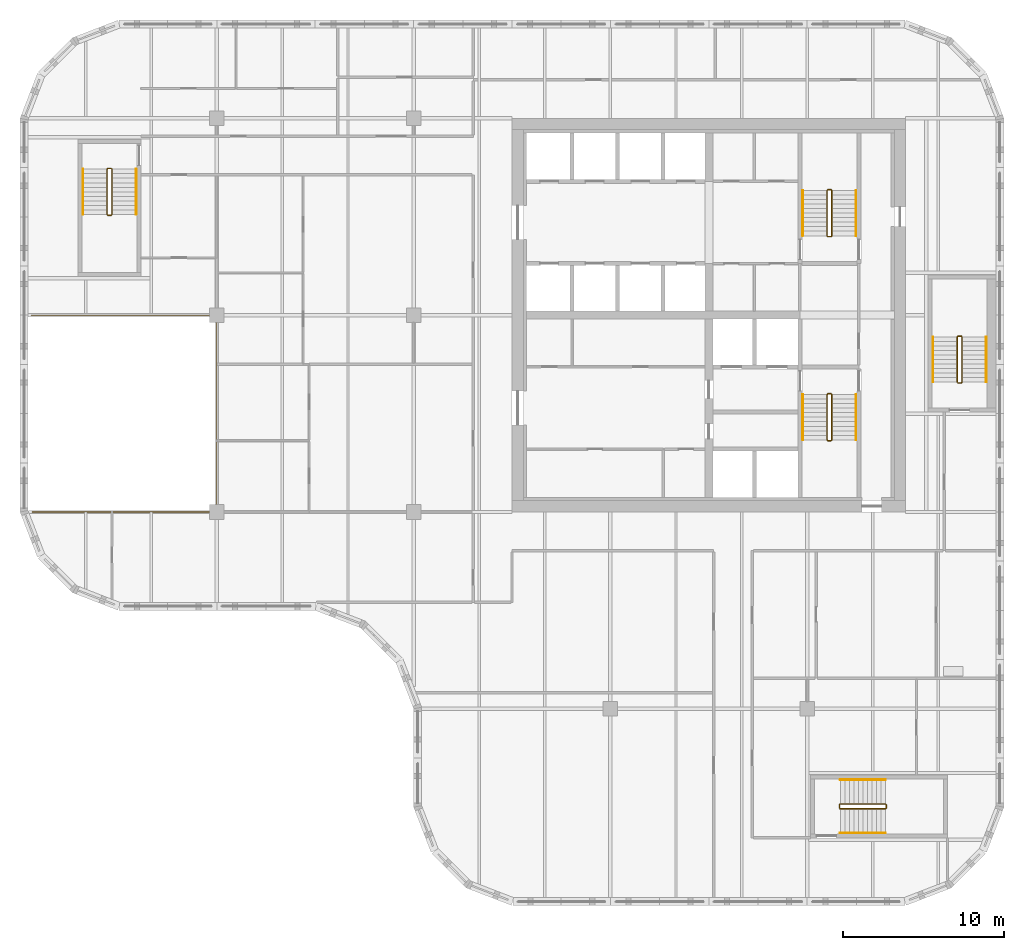
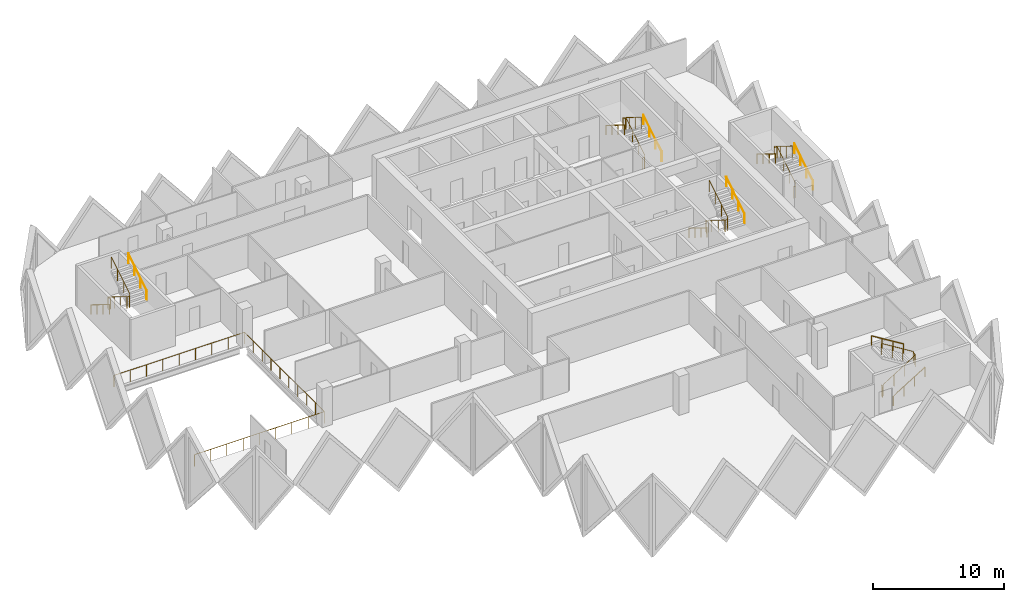
# One storey, part 12 of 13: 16 railings.
"""IFC4 building model written with IfcOpenShell, lengths in metres."""

from ifc_helpers import new_model, si_unit, direction, frame, origin, origin_2d, place, context, subcontext, project, spatial, circle, extrude, material, type_object, element, save


model = new_model("IFC4")

# Units and contexts
model_context = context("Model", 3, precision=1e-05, world=origin(), true_north=direction((0.0, 1.0)))
body_context = subcontext(model_context, "Body", "Model", "MODEL_VIEW")
ifc_project = project(units=[si_unit("LENGTHUNIT", "METRE"), si_unit("AREAUNIT", "SQUARE_METRE"), si_unit("VOLUMEUNIT", "CUBIC_METRE"), si_unit("PLANEANGLEUNIT", "RADIAN"), si_unit("MASSUNIT", "GRAM", prefix="KILO")], contexts=[model_context])

# Site, building, storey
site_placement = place(None, origin())
site = spatial("IfcSite", under=ifc_project, at=site_placement, CompositionType="ELEMENT")
building_placement = place(site_placement, origin())
building = spatial("IfcBuilding", under=site, at=building_placement, Name="Tessera Gate Towers", CompositionType="ELEMENT")
storey_placement = place(building_placement, frame((0.0, 0.0, 131.60009765625)))
storey = spatial("IfcBuildingStorey", under=building, at=storey_placement, Name="L32", CompositionType="ELEMENT", Elevation=131.60009765625)

# Railings
ifc_material_1 = material(Name="Toughened glass with stainless steel handrail", Category="steel")
railing_type_1 = type_object("IfcRailingType", Name="GUARD 1100 GLASS BALUSTRADE", PredefinedType="GUARDRAIL", material=ifc_material_1)
railing_1_placement = place(storey_placement, frame((0.750244140625, 24.39990234375, 0.0)))
element("IfcRailing", 1, at=railing_1_placement, inside=storey, type_object=railing_type_1, Name="Guard", PredefinedType="GUARDRAIL", context=body_context, shape_type="SweptSolid", body=[
    extrude(circle(Radius=0.02490234375, at=origin_2d()), frame((0.0, 0.0, 1.0751953125), z_axis=(1.0, 0.0, 0.0), x_axis=(0.0, 1.0, 0.0)), (0.0, 0.0, 1.0), 11.44970703125),
    extrude(circle(Radius=0.02490234375, at=origin_2d()), frame((11.44970703125, 0.0, 1.0751953125), z_axis=(0.0, 1.0, 0.0), x_axis=(-1.0, 0.0, 0.0)), (0.0, 0.0, 1.0), 12.2001953125),
    extrude(circle(Radius=0.02490234375, at=origin_2d()), frame((11.44970703125, 12.2001953125, 1.0751953125), z_axis=(-1.0, 0.0, 0.0), x_axis=(0.0, -1.0, 0.0)), (0.0, 0.0, 1.0), 11.5),
    extrude(circle(Radius=0.02490234375, at=origin_2d()), origin(), (0.0, 0.0, 1.0), 1.050048828125),
    extrude(circle(Radius=0.02490234375, at=origin_2d()), frame((1.43115234375, 0.0, 0.0)), (0.0, 0.0, 1.0), 1.050048828125),
    extrude(circle(Radius=0.02490234375, at=origin_2d()), frame((2.8623046875, 0.0, 0.0)), (0.0, 0.0, 1.0), 1.050048828125),
    extrude(circle(Radius=0.02490234375, at=origin_2d()), frame((4.293701171875, 0.0, 0.0)), (0.0, 0.0, 1.0), 1.050048828125),
    extrude(circle(Radius=0.02490234375, at=origin_2d()), frame((5.724853515625, 0.0, 0.0)), (0.0, 0.0, 1.0), 1.050048828125),
    extrude(circle(Radius=0.02490234375, at=origin_2d()), frame((7.156005859375, 0.0, 0.0)), (0.0, 0.0, 1.0), 1.050048828125),
    extrude(circle(Radius=0.02490234375, at=origin_2d()), frame((8.58740234375, 0.0, 0.0)), (0.0, 0.0, 1.0), 1.050048828125),
    extrude(circle(Radius=0.02490234375, at=origin_2d()), frame((10.0185546875, 0.0, 0.0)), (0.0, 0.0, 1.0), 1.050048828125),
    extrude(circle(Radius=0.02490234375, at=origin_2d()), frame((11.44970703125, 0.0, 0.0)), (0.0, 0.0, 1.0), 1.050048828125),
    extrude(circle(Radius=0.02490234375, at=origin_2d()), frame((11.44970703125, 1.35546875, 0.0)), (0.0, 0.0, 1.0), 1.050048828125),
    extrude(circle(Radius=0.02490234375, at=origin_2d()), frame((11.44970703125, 2.711181640625, 0.0)), (0.0, 0.0, 1.0), 1.050048828125),
    extrude(circle(Radius=0.02490234375, at=origin_2d()), frame((11.44970703125, 4.066650390625, 0.0)), (0.0, 0.0, 1.0), 1.050048828125),
    extrude(circle(Radius=0.02490234375, at=origin_2d()), frame((11.44970703125, 5.42236328125, 0.0)), (0.0, 0.0, 1.0), 1.050048828125),
    extrude(circle(Radius=0.02490234375, at=origin_2d()), frame((11.44970703125, 6.77783203125, 0.0)), (0.0, 0.0, 1.0), 1.050048828125),
    extrude(circle(Radius=0.02490234375, at=origin_2d()), frame((11.44970703125, 8.133544921875, 0.0)), (0.0, 0.0, 1.0), 1.050048828125),
    extrude(circle(Radius=0.02490234375, at=origin_2d()), frame((11.44970703125, 9.489013671875, 0.0)), (0.0, 0.0, 1.0), 1.050048828125),
    extrude(circle(Radius=0.02490234375, at=origin_2d()), frame((11.44970703125, 10.8447265625, 0.0)), (0.0, 0.0, 1.0), 1.050048828125),
    extrude(circle(Radius=0.02490234375, at=origin_2d()), frame((11.44970703125, 12.2001953125, 0.0)), (0.0, 0.0, 1.0), 1.050048828125),
    extrude(circle(Radius=0.02490234375, at=origin_2d()), frame((10.01220703125, 12.2001953125, 0.0)), (0.0, 0.0, 1.0), 1.050048828125),
    extrude(circle(Radius=0.02490234375, at=origin_2d()), frame((8.57470703125, 12.2001953125, 0.0)), (0.0, 0.0, 1.0), 1.050048828125),
    extrude(circle(Radius=0.02490234375, at=origin_2d()), frame((7.13720703125, 12.2001953125, 0.0)), (0.0, 0.0, 1.0), 1.050048828125),
    extrude(circle(Radius=0.02490234375, at=origin_2d()), frame((5.69970703125, 12.2001953125, 0.0)), (0.0, 0.0, 1.0), 1.050048828125),
    extrude(circle(Radius=0.02490234375, at=origin_2d()), frame((4.26220703125, 12.2001953125, 0.0)), (0.0, 0.0, 1.0), 1.050048828125),
    extrude(circle(Radius=0.02490234375, at=origin_2d()), frame((2.82470703125, 12.2001953125, 0.0)), (0.0, 0.0, 1.0), 1.050048828125),
    extrude(circle(Radius=0.02490234375, at=origin_2d()), frame((1.38720703125, 12.2001953125, 0.0)), (0.0, 0.0, 1.0), 1.050048828125),
    extrude(circle(Radius=0.02490234375, at=origin_2d()), frame((-0.05029296875, 12.2001953125, 0.0)), (0.0, 0.0, 1.0), 1.050048828125),
])
ifc_material_2 = material(Name="Steel 350W", Category="steel")
railing_type_2 = type_object("IfcRailingType", Name="STAIR GUARD 1100", PredefinedType="GUARDRAIL", material=ifc_material_2)
railing_2_placement = place(storey_placement, frame((50.27490234375, 31.72509765625, 0.0)))
element("IfcRailing", 2, at=railing_2_placement, inside=storey, type_object=railing_type_2, Name="L32 ST1 stair guard 1", PredefinedType="GUARDRAIL", context=body_context, shape_type="SweptSolid", body=[
    extrude(circle(Radius=0.02392578125, at=origin_2d()), frame((0.0, 0.0, 1.076171875), z_axis=(-1.0, 0.0, 0.0), x_axis=(0.0, -1.0, 0.0)), (0.0, 0.0, 1.0), 0.199951171875),
    extrude(circle(Radius=0.02392578125, at=origin_2d()), frame((-0.199951171875, 0.0, 1.076171875), z_axis=(-0.268277960024, -0.268277960024, 0.925231793839), x_axis=(0.707106781187, -0.707106781187, 0.0)), (0.0, 0.0, 1.0), 0.1865234375),
    extrude(circle(Radius=0.02392578125, at=origin_2d()), frame((-0.25, -0.050048828125, 1.24853515625), z_axis=(0.0, -0.851089632645, 0.525020415988), x_axis=(1.0, 0.0, 0.0)), (0.0, 0.0, 1.0), 3.2900390625),
    extrude(circle(Radius=0.02392578125, at=origin_2d()), frame((-0.25, -2.85009765625, 2.97607421875), z_axis=(0.707106781187, -0.707106781187, 0.0), x_axis=(0.707106781187, 0.707106781187, 0.0)), (0.0, 0.0, 1.0), 0.07080078125),
    extrude(circle(Radius=0.02392578125, at=origin_2d()), frame((-0.199951171875, -2.900146484375, 2.97607421875), z_axis=(1.0, 0.0, 0.0), x_axis=(0.0, 1.0, 0.0)), (0.0, 0.0, 1.0), 0.199951171875),
    extrude(circle(Radius=0.02392578125, at=origin_2d()), frame((0.0, -2.900146484375, 2.97607421875), z_axis=(0.268277960024, 0.268277960024, 0.925231793839), x_axis=(-0.707106781187, 0.707106781187, 0.0)), (0.0, 0.0, 1.0), 0.1865234375),
    extrude(circle(Radius=0.02392578125, at=origin_2d()), frame((0.050048828125, -2.85009765625, 3.1484375), z_axis=(0.0, 0.851089632645, 0.525020415988), x_axis=(-1.0, 0.0, 0.0)), (0.0, 0.0, 1.0), 3.2900390625),
    extrude(circle(Radius=0.02099609375, at=origin_2d()), origin(), (0.0, 0.0, 1.0), 1.052001953125),
    extrude(circle(Radius=0.02099609375, at=origin_2d()), frame((-0.199951171875, 0.0, 0.0)), (0.0, 0.0, 1.0), 1.052001953125),
    extrude(circle(Radius=0.02099609375, at=origin_2d()), frame((-0.25, -0.050048828125, 0.172607421875)), (0.0, 0.0, 1.0), 1.052001953125),
    extrude(circle(Radius=0.02099609375, at=origin_2d()), frame((-0.25, -0.9833984375, 0.748291015625)), (0.0, 0.0, 1.0), 1.052001953125),
    extrude(circle(Radius=0.02099609375, at=origin_2d()), frame((-0.25, -1.916748046875, 1.32421875)), (0.0, 0.0, 1.0), 1.052001953125),
    extrude(circle(Radius=0.02099609375, at=origin_2d()), frame((-0.25, -2.85009765625, 1.89990234375)), (0.0, 0.0, 1.0), 1.052001953125),
    extrude(circle(Radius=0.02099609375, at=origin_2d()), frame((-0.199951171875, -2.900146484375, 1.89990234375)), (0.0, 0.0, 1.0), 1.052001953125),
    extrude(circle(Radius=0.02099609375, at=origin_2d()), frame((0.0, -2.900146484375, 1.89990234375)), (0.0, 0.0, 1.0), 1.052001953125),
    extrude(circle(Radius=0.02099609375, at=origin_2d()), frame((0.050048828125, -2.85009765625, 2.072509765625)), (0.0, 0.0, 1.0), 1.052001953125),
    extrude(circle(Radius=0.02099609375, at=origin_2d()), frame((0.050048828125, -1.916748046875, 2.648193359375)), (0.0, 0.0, 1.0), 1.052001953125),
    extrude(circle(Radius=0.02099609375, at=origin_2d()), frame((0.050048828125, -0.9833984375, 3.22412109375)), (0.0, 0.0, 1.0), 1.052001953125),
    extrude(circle(Radius=0.02099609375, at=origin_2d()), frame((0.050048828125, -0.050048828125, 3.7998046875)), (0.0, 0.0, 1.0), 1.052001953125),
])
railing_3_placement = place(storey_placement, frame((50.074951171875, 41.47509765625, 0.0)))
element("IfcRailing", 3, at=railing_3_placement, inside=storey, type_object=railing_type_2, Name="L32 ST2 stair guard 1", PredefinedType="GUARDRAIL", context=body_context, shape_type="SweptSolid", body=[
    extrude(circle(Radius=0.02392578125, at=origin_2d()), frame((0.0, 0.0, 1.076171875), z_axis=(1.0, 0.0, 0.0), x_axis=(0.0, 1.0, 0.0)), (0.0, 0.0, 1.0), 0.199951171875),
    extrude(circle(Radius=0.02392578125, at=origin_2d()), frame((0.199951171875, 0.0, 1.076171875), z_axis=(0.268371968888, 0.267062837333, 0.925556009775), x_axis=(-0.705375805398, 0.708833529934, 0.0)), (0.0, 0.0, 1.0), 0.1865234375),
    extrude(circle(Radius=0.02392578125, at=origin_2d()), frame((0.25, 0.0498046875, 1.24853515625), z_axis=(0.0, 0.851089632645, 0.525020415988), x_axis=(-1.0, 0.0, 0.0)), (0.0, 0.0, 1.0), 3.2900390625),
    extrude(circle(Radius=0.02392578125, at=origin_2d()), frame((0.25, 2.849853515625, 2.97607421875), z_axis=(-0.707106781187, 0.707106781187, 0.0), x_axis=(-0.707106781187, -0.707106781187, 0.0)), (0.0, 0.0, 1.0), 0.07080078125),
    extrude(circle(Radius=0.02392578125, at=origin_2d()), frame((0.199951171875, 2.89990234375, 2.97607421875), z_axis=(-1.0, 0.0, 0.0), x_axis=(0.0, -1.0, 0.0)), (0.0, 0.0, 1.0), 0.199951171875),
    extrude(circle(Radius=0.02392578125, at=origin_2d()), frame((0.0, 2.89990234375, 2.97607421875), z_axis=(-0.268277960024, -0.268277960024, 0.925231793839), x_axis=(0.707106781187, -0.707106781187, 0.0)), (0.0, 0.0, 1.0), 0.1865234375),
    extrude(circle(Radius=0.02392578125, at=origin_2d()), frame((-0.050048828125, 2.849853515625, 3.1484375), z_axis=(0.0, -0.851089632645, 0.525020415988), x_axis=(1.0, 0.0, 0.0)), (0.0, 0.0, 1.0), 3.2900390625),
    extrude(circle(Radius=0.02099609375, at=origin_2d()), origin(), (0.0, 0.0, 1.0), 1.052001953125),
    extrude(circle(Radius=0.02099609375, at=origin_2d()), frame((0.199951171875, 0.0, 0.0)), (0.0, 0.0, 1.0), 1.052001953125),
    extrude(circle(Radius=0.02099609375, at=origin_2d()), frame((0.25, 0.0498046875, 0.172607421875)), (0.0, 0.0, 1.0), 1.052001953125),
    extrude(circle(Radius=0.02099609375, at=origin_2d()), frame((0.25, 0.983154296875, 0.748291015625)), (0.0, 0.0, 1.0), 1.052001953125),
    extrude(circle(Radius=0.02099609375, at=origin_2d()), frame((0.25, 1.91650390625, 1.32421875)), (0.0, 0.0, 1.0), 1.052001953125),
    extrude(circle(Radius=0.02099609375, at=origin_2d()), frame((0.25, 2.849853515625, 1.89990234375)), (0.0, 0.0, 1.0), 1.052001953125),
    extrude(circle(Radius=0.02099609375, at=origin_2d()), frame((0.199951171875, 2.89990234375, 1.89990234375)), (0.0, 0.0, 1.0), 1.052001953125),
    extrude(circle(Radius=0.02099609375, at=origin_2d()), frame((0.0, 2.89990234375, 1.89990234375)), (0.0, 0.0, 1.0), 1.052001953125),
    extrude(circle(Radius=0.02099609375, at=origin_2d()), frame((-0.050048828125, 2.849853515625, 2.072509765625)), (0.0, 0.0, 1.0), 1.052001953125),
    extrude(circle(Radius=0.02099609375, at=origin_2d()), frame((-0.050048828125, 1.91650390625, 2.648193359375)), (0.0, 0.0, 1.0), 1.052001953125),
    extrude(circle(Radius=0.02099609375, at=origin_2d()), frame((-0.050048828125, 0.983154296875, 3.22412109375)), (0.0, 0.0, 1.0), 1.052001953125),
    extrude(circle(Radius=0.02099609375, at=origin_2d()), frame((-0.050048828125, 0.0498046875, 3.7998046875)), (0.0, 0.0, 1.0), 1.052001953125),
])
railing_4_placement = place(storey_placement, frame((5.64990234375, 45.699951171875, 0.0)))
element("IfcRailing", 4, at=railing_4_placement, inside=storey, type_object=railing_type_2, Name="L32 ST3 stair guard 1", PredefinedType="GUARDRAIL", context=body_context, shape_type="SweptSolid", body=[
    extrude(circle(Radius=0.02392578125, at=origin_2d()), frame((0.0, 0.0, 1.076171875), z_axis=(-1.0, 0.0, 0.0), x_axis=(0.0, -1.0, 0.0)), (0.0, 0.0, 1.0), 0.199951171875),
    extrude(circle(Radius=0.02392578125, at=origin_2d()), frame((-0.199951171875, 0.0, 1.076171875), z_axis=(-0.268277960024, -0.268277960024, 0.925231793839), x_axis=(0.707106781187, -0.707106781187, 0.0)), (0.0, 0.0, 1.0), 0.1865234375),
    extrude(circle(Radius=0.02392578125, at=origin_2d()), frame((-0.25, -0.050048828125, 1.24853515625), z_axis=(0.0, -0.851069175582, 0.525053576669), x_axis=(1.0, 0.0, 0.0)), (0.0, 0.0, 1.0), 3.289794921875),
    extrude(circle(Radius=0.02392578125, at=origin_2d()), frame((-0.25, -2.849853515625, 2.97607421875), z_axis=(0.707106781187, -0.707106781187, 0.0), x_axis=(0.707106781187, 0.707106781187, 0.0)), (0.0, 0.0, 1.0), 0.07080078125),
    extrude(circle(Radius=0.02392578125, at=origin_2d()), frame((-0.199951171875, -2.89990234375, 2.97607421875), z_axis=(1.0, 0.0, 0.0), x_axis=(0.0, 1.0, 0.0)), (0.0, 0.0, 1.0), 0.199951171875),
    extrude(circle(Radius=0.02392578125, at=origin_2d()), frame((0.0, -2.89990234375, 2.97607421875), z_axis=(0.268277960024, 0.268277960024, 0.925231793839), x_axis=(-0.707106781187, 0.707106781187, 0.0)), (0.0, 0.0, 1.0), 0.1865234375),
    extrude(circle(Radius=0.02392578125, at=origin_2d()), frame((0.050048828125, -2.849853515625, 3.1484375), z_axis=(0.0, 0.851069175582, 0.525053576669), x_axis=(-1.0, 0.0, 0.0)), (0.0, 0.0, 1.0), 3.289794921875),
    extrude(circle(Radius=0.02099609375, at=origin_2d()), origin(), (0.0, 0.0, 1.0), 1.052001953125),
    extrude(circle(Radius=0.02099609375, at=origin_2d()), frame((-0.199951171875, 0.0, 0.0)), (0.0, 0.0, 1.0), 1.052001953125),
    extrude(circle(Radius=0.02099609375, at=origin_2d()), frame((-0.25, -0.050048828125, 0.172607421875)), (0.0, 0.0, 1.0), 1.052001953125),
    extrude(circle(Radius=0.02099609375, at=origin_2d()), frame((-0.25, -0.9833984375, 0.748291015625)), (0.0, 0.0, 1.0), 1.052001953125),
    extrude(circle(Radius=0.02099609375, at=origin_2d()), frame((-0.25, -1.91650390625, 1.32421875)), (0.0, 0.0, 1.0), 1.052001953125),
    extrude(circle(Radius=0.02099609375, at=origin_2d()), frame((-0.25, -2.849853515625, 1.89990234375)), (0.0, 0.0, 1.0), 1.052001953125),
    extrude(circle(Radius=0.02099609375, at=origin_2d()), frame((-0.199951171875, -2.89990234375, 1.89990234375)), (0.0, 0.0, 1.0), 1.052001953125),
    extrude(circle(Radius=0.02099609375, at=origin_2d()), frame((0.0, -2.89990234375, 1.89990234375)), (0.0, 0.0, 1.0), 1.052001953125),
    extrude(circle(Radius=0.02099609375, at=origin_2d()), frame((0.050048828125, -2.849853515625, 2.072509765625)), (0.0, 0.0, 1.0), 1.052001953125),
    extrude(circle(Radius=0.02099609375, at=origin_2d()), frame((0.050048828125, -1.91650390625, 2.648193359375)), (0.0, 0.0, 1.0), 1.052001953125),
    extrude(circle(Radius=0.02099609375, at=origin_2d()), frame((0.050048828125, -0.9833984375, 3.22412109375)), (0.0, 0.0, 1.0), 1.052001953125),
    extrude(circle(Radius=0.02099609375, at=origin_2d()), frame((0.050048828125, -0.050048828125, 3.7998046875)), (0.0, 0.0, 1.0), 1.052001953125),
])
railing_5_placement = place(storey_placement, frame((50.800048828125, 6.25, 0.0)))
element("IfcRailing", 5, at=railing_5_placement, inside=storey, type_object=railing_type_2, Name="L32 ST4 stair guard 1", PredefinedType="GUARDRAIL", context=body_context, shape_type="SweptSolid", body=[
    extrude(circle(Radius=0.02392578125, at=origin_2d()), frame((0.0, 0.0, 1.076171875), z_axis=(0.0, -1.0, 0.0), x_axis=(1.0, 0.0, 0.0)), (0.0, 0.0, 1.0), 0.199951171875),
    extrude(circle(Radius=0.02392578125, at=origin_2d()), frame((0.0, -0.199951171875, 1.076171875), z_axis=(0.268277960024, -0.268277960024, 0.925231793839), x_axis=(0.707106781187, 0.707106781187, 0.0)), (0.0, 0.0, 1.0), 0.1865234375),
    extrude(circle(Radius=0.02392578125, at=origin_2d()), frame((0.050048828125, -0.25, 1.24853515625), z_axis=(0.851069175582, 0.0, 0.525053576669), x_axis=(0.0, 1.0, 0.0)), (0.0, 0.0, 1.0), 3.289794921875),
    extrude(circle(Radius=0.02392578125, at=origin_2d()), frame((2.849853515625, -0.25, 2.97607421875), z_axis=(0.707106781187, 0.707106781187, 0.0), x_axis=(-0.707106781187, 0.707106781187, 0.0)), (0.0, 0.0, 1.0), 0.07080078125),
    extrude(circle(Radius=0.02392578125, at=origin_2d()), frame((2.89990234375, -0.199951171875, 2.97607421875), z_axis=(0.0, 1.0, 0.0), x_axis=(-1.0, 0.0, 0.0)), (0.0, 0.0, 1.0), 0.199951171875),
    extrude(circle(Radius=0.02392578125, at=origin_2d()), frame((2.89990234375, 0.0, 2.97607421875), z_axis=(-0.268277960024, 0.268277960024, 0.925231793839), x_axis=(-0.707106781187, -0.707106781187, 0.0)), (0.0, 0.0, 1.0), 0.1865234375),
    extrude(circle(Radius=0.02392578125, at=origin_2d()), frame((2.849853515625, 0.050048828125, 3.1484375), z_axis=(-0.851069175582, 0.0, 0.525053576669), x_axis=(0.0, -1.0, 0.0)), (0.0, 0.0, 1.0), 3.289794921875),
    extrude(circle(Radius=0.02099609375, at=origin_2d()), origin(), (0.0, 0.0, 1.0), 1.052001953125),
    extrude(circle(Radius=0.02099609375, at=origin_2d()), frame((0.0, -0.199951171875, 0.0)), (0.0, 0.0, 1.0), 1.052001953125),
    extrude(circle(Radius=0.02099609375, at=origin_2d()), frame((0.050048828125, -0.25, 0.172607421875)), (0.0, 0.0, 1.0), 1.052001953125),
    extrude(circle(Radius=0.02099609375, at=origin_2d()), frame((0.9833984375, -0.25, 0.748291015625)), (0.0, 0.0, 1.0), 1.052001953125),
    extrude(circle(Radius=0.02099609375, at=origin_2d()), frame((1.91650390625, -0.25, 1.32421875)), (0.0, 0.0, 1.0), 1.052001953125),
    extrude(circle(Radius=0.02099609375, at=origin_2d()), frame((2.849853515625, -0.25, 1.89990234375)), (0.0, 0.0, 1.0), 1.052001953125),
    extrude(circle(Radius=0.02099609375, at=origin_2d()), frame((2.89990234375, -0.199951171875, 1.89990234375)), (0.0, 0.0, 1.0), 1.052001953125),
    extrude(circle(Radius=0.02099609375, at=origin_2d()), frame((2.89990234375, 0.0, 1.89990234375)), (0.0, 0.0, 1.0), 1.052001953125),
    extrude(circle(Radius=0.02099609375, at=origin_2d()), frame((2.849853515625, 0.050048828125, 2.072509765625)), (0.0, 0.0, 1.0), 1.052001953125),
    extrude(circle(Radius=0.02099609375, at=origin_2d()), frame((1.91650390625, 0.050048828125, 2.648193359375)), (0.0, 0.0, 1.0), 1.052001953125),
    extrude(circle(Radius=0.02099609375, at=origin_2d()), frame((0.9833984375, 0.050048828125, 3.22412109375)), (0.0, 0.0, 1.0), 1.052001953125),
    extrude(circle(Radius=0.02099609375, at=origin_2d()), frame((0.050048828125, 0.050048828125, 3.7998046875)), (0.0, 0.0, 1.0), 1.052001953125),
])
railing_6_placement = place(storey_placement, frame((58.14990234375, 32.39990234375, 0.0)))
element("IfcRailing", 6, at=railing_6_placement, inside=storey, type_object=railing_type_2, Name="L32 ST5 stair guard 1", PredefinedType="GUARDRAIL", context=body_context, shape_type="SweptSolid", body=[
    extrude(circle(Radius=0.02392578125, at=origin_2d()), frame((0.0, 0.0, 1.076171875), z_axis=(1.0, 0.0, 0.0), x_axis=(0.0, 1.0, 0.0)), (0.0, 0.0, 1.0), 0.2001953125),
    extrude(circle(Radius=0.02392578125, at=origin_2d()), frame((0.2001953125, 0.0, 1.076171875), z_axis=(0.267062837333, 0.268371968888, 0.925556009775), x_axis=(-0.708833529934, 0.705375805398, 0.0)), (0.0, 0.0, 1.0), 0.1865234375),
    extrude(circle(Radius=0.02392578125, at=origin_2d()), frame((0.25, 0.050048828125, 1.24853515625), z_axis=(0.0, 0.851089632645, 0.525020415988), x_axis=(-1.0, 0.0, 0.0)), (0.0, 0.0, 1.0), 3.2900390625),
    extrude(circle(Radius=0.02392578125, at=origin_2d()), frame((0.25, 2.85009765625, 2.97607421875), z_axis=(-0.705375805398, 0.708833529934, 0.0), x_axis=(-0.708833529934, -0.705375805398, 0.0)), (0.0, 0.0, 1.0), 0.070556640625),
    extrude(circle(Radius=0.02392578125, at=origin_2d()), frame((0.2001953125, 2.900146484375, 2.97607421875), z_axis=(-1.0, 0.0, 0.0), x_axis=(0.0, -1.0, 0.0)), (0.0, 0.0, 1.0), 0.2001953125),
    extrude(circle(Radius=0.02392578125, at=origin_2d()), frame((0.0, 2.900146484375, 2.97607421875), z_axis=(-0.267062837333, -0.268371968888, 0.925556009775), x_axis=(0.708833529934, -0.705375805398, 0.0)), (0.0, 0.0, 1.0), 0.1865234375),
    extrude(circle(Radius=0.02392578125, at=origin_2d()), frame((-0.0498046875, 2.85009765625, 3.1484375), z_axis=(0.0, -0.851089632645, 0.525020415988), x_axis=(1.0, 0.0, 0.0)), (0.0, 0.0, 1.0), 3.2900390625),
    extrude(circle(Radius=0.02099609375, at=origin_2d()), origin(), (0.0, 0.0, 1.0), 1.052001953125),
    extrude(circle(Radius=0.02099609375, at=origin_2d()), frame((0.2001953125, 0.0, 0.0)), (0.0, 0.0, 1.0), 1.052001953125),
    extrude(circle(Radius=0.02099609375, at=origin_2d()), frame((0.25, 0.050048828125, 0.172607421875)), (0.0, 0.0, 1.0), 1.052001953125),
    extrude(circle(Radius=0.02099609375, at=origin_2d()), frame((0.25, 0.9833984375, 0.748291015625)), (0.0, 0.0, 1.0), 1.052001953125),
    extrude(circle(Radius=0.02099609375, at=origin_2d()), frame((0.25, 1.916748046875, 1.32421875)), (0.0, 0.0, 1.0), 1.052001953125),
    extrude(circle(Radius=0.02099609375, at=origin_2d()), frame((0.25, 2.85009765625, 1.89990234375)), (0.0, 0.0, 1.0), 1.052001953125),
    extrude(circle(Radius=0.02099609375, at=origin_2d()), frame((0.2001953125, 2.900146484375, 1.89990234375)), (0.0, 0.0, 1.0), 1.052001953125),
    extrude(circle(Radius=0.02099609375, at=origin_2d()), frame((0.0, 2.900146484375, 1.89990234375)), (0.0, 0.0, 1.0), 1.052001953125),
    extrude(circle(Radius=0.02099609375, at=origin_2d()), frame((-0.0498046875, 2.85009765625, 2.072509765625)), (0.0, 0.0, 1.0), 1.052001953125),
    extrude(circle(Radius=0.02099609375, at=origin_2d()), frame((-0.0498046875, 1.916748046875, 2.648193359375)), (0.0, 0.0, 1.0), 1.052001953125),
    extrude(circle(Radius=0.02099609375, at=origin_2d()), frame((-0.0498046875, 0.9833984375, 3.22412109375)), (0.0, 0.0, 1.0), 1.052001953125),
    extrude(circle(Radius=0.02099609375, at=origin_2d()), frame((-0.0498046875, 0.050048828125, 3.7998046875)), (0.0, 0.0, 1.0), 1.052001953125),
])
ifc_material_3 = material(Name="Steel 350W", Category="steel")
railing_type_3 = type_object("IfcRailingType", Name="STAIR HANDRAIL 900", PredefinedType="HANDRAIL", material=ifc_material_3)
railing_7_placement = place(storey_placement, frame((48.52490234375, 31.675048828125, 0.172607421875)))
element("IfcRailing", 7, at=railing_7_placement, inside=storey, type_object=railing_type_3, Name="L32 ST1 stair handrail 1", PredefinedType="HANDRAIL", context=body_context, shape_type="SweptSolid", body=[
    extrude(circle(Radius=0.02392578125, at=origin_2d()), frame((0.0, 0.0, 0.8759765625), z_axis=(0.0, -0.851089632645, 0.525020415988), x_axis=(1.0, 0.0, 0.0)), (0.0, 0.0, 1.0), 3.2900390625),
    extrude(circle(Radius=0.02099609375, at=origin_2d()), origin(), (0.0, 0.0, 1.0), 0.851806640625),
    extrude(circle(Radius=0.02099609375, at=origin_2d()), frame((0.0, -0.933349609375, 0.57568359375)), (0.0, 0.0, 1.0), 0.851806640625),
    extrude(circle(Radius=0.02099609375, at=origin_2d()), frame((0.0, -1.86669921875, 1.151611328125)), (0.0, 0.0, 1.0), 0.851806640625),
    extrude(circle(Radius=0.02099609375, at=origin_2d()), frame((0.0, -2.800048828125, 1.727294921875)), (0.0, 0.0, 1.0), 0.851806640625),
])
for number, where, name in (
    (8, (51.824951171875, 28.875, 2.072509765625), "L32 ST1 stair handrail 2"),
    (9, (51.824951171875, 41.52490234375, 0.172607421875), "L32 ST2 stair handrail 1"),
):
    element("IfcRailing", number, at=place(storey_placement, frame(where)), inside=storey, type_object=railing_type_3, Name=name, PredefinedType="HANDRAIL", context=body_context, shape_type="SweptSolid", body=[
        extrude(circle(Radius=0.02392578125, at=origin_2d()), frame((0.0, 0.0, 0.8759765625), z_axis=(0.0, 0.851089632645, 0.525020415988), x_axis=(-1.0, 0.0, 0.0)), (0.0, 0.0, 1.0), 3.2900390625),
        extrude(circle(Radius=0.02099609375, at=origin_2d()), origin(), (0.0, 0.0, 1.0), 0.851806640625),
        extrude(circle(Radius=0.02099609375, at=origin_2d()), frame((0.0, 0.933349609375, 0.57568359375)), (0.0, 0.0, 1.0), 0.851806640625),
        extrude(circle(Radius=0.02099609375, at=origin_2d()), frame((0.0, 1.86669921875, 1.151611328125)), (0.0, 0.0, 1.0), 0.851806640625),
        extrude(circle(Radius=0.02099609375, at=origin_2d()), frame((0.0, 2.800048828125, 1.727294921875)), (0.0, 0.0, 1.0), 0.851806640625),
    ])
railing_8_placement = place(storey_placement, frame((48.52490234375, 44.324951171875, 2.072509765625)))
element("IfcRailing", 10, at=railing_8_placement, inside=storey, type_object=railing_type_3, Name="L32 ST2 stair handrail 2", PredefinedType="HANDRAIL", context=body_context, shape_type="SweptSolid", body=[
    extrude(circle(Radius=0.02392578125, at=origin_2d()), frame((0.0, 0.0, 0.8759765625), z_axis=(0.0, -0.851089632645, 0.525020415988), x_axis=(1.0, 0.0, 0.0)), (0.0, 0.0, 1.0), 3.2900390625),
    extrude(circle(Radius=0.02099609375, at=origin_2d()), origin(), (0.0, 0.0, 1.0), 0.851806640625),
    extrude(circle(Radius=0.02099609375, at=origin_2d()), frame((0.0, -0.933349609375, 0.57568359375)), (0.0, 0.0, 1.0), 0.851806640625),
    extrude(circle(Radius=0.02099609375, at=origin_2d()), frame((0.0, -1.86669921875, 1.151611328125)), (0.0, 0.0, 1.0), 0.851806640625),
    extrude(circle(Radius=0.02099609375, at=origin_2d()), frame((0.0, -2.800048828125, 1.727294921875)), (0.0, 0.0, 1.0), 0.851806640625),
])
railing_9_placement = place(storey_placement, frame((3.89990234375, 45.64990234375, 0.172607421875)))
element("IfcRailing", 11, at=railing_9_placement, inside=storey, type_object=railing_type_3, Name="L32 ST3 stair handrail 1", PredefinedType="HANDRAIL", context=body_context, shape_type="SweptSolid", body=[
    extrude(circle(Radius=0.02392578125, at=origin_2d()), frame((0.0, 0.0, 0.8759765625), z_axis=(0.0, -0.851069175582, 0.525053576669), x_axis=(1.0, 0.0, 0.0)), (0.0, 0.0, 1.0), 3.289794921875),
    extrude(circle(Radius=0.02099609375, at=origin_2d()), origin(), (0.0, 0.0, 1.0), 0.851806640625),
    extrude(circle(Radius=0.02099609375, at=origin_2d()), frame((0.0, -0.933349609375, 0.57568359375)), (0.0, 0.0, 1.0), 0.851806640625),
    extrude(circle(Radius=0.02099609375, at=origin_2d()), frame((0.0, -1.866455078125, 1.151611328125)), (0.0, 0.0, 1.0), 0.851806640625),
    extrude(circle(Radius=0.02099609375, at=origin_2d()), frame((0.0, -2.7998046875, 1.727294921875)), (0.0, 0.0, 1.0), 0.851806640625),
])
railing_10_placement = place(storey_placement, frame((7.199951171875, 42.85009765625, 2.072509765625)))
element("IfcRailing", 12, at=railing_10_placement, inside=storey, type_object=railing_type_3, Name="L32 ST3 stair handrail 2", PredefinedType="HANDRAIL", context=body_context, shape_type="SweptSolid", body=[
    extrude(circle(Radius=0.02392578125, at=origin_2d()), frame((0.0, 0.0, 0.8759765625), z_axis=(0.0, 0.851069175582, 0.525053576669), x_axis=(-1.0, 0.0, 0.0)), (0.0, 0.0, 1.0), 3.289794921875),
    extrude(circle(Radius=0.02099609375, at=origin_2d()), origin(), (0.0, 0.0, 1.0), 0.851806640625),
    extrude(circle(Radius=0.02099609375, at=origin_2d()), frame((0.0, 0.933349609375, 0.57568359375)), (0.0, 0.0, 1.0), 0.851806640625),
    extrude(circle(Radius=0.02099609375, at=origin_2d()), frame((0.0, 1.866455078125, 1.151611328125)), (0.0, 0.0, 1.0), 0.851806640625),
    extrude(circle(Radius=0.02099609375, at=origin_2d()), frame((0.0, 2.7998046875, 1.727294921875)), (0.0, 0.0, 1.0), 0.851806640625),
])
railing_11_placement = place(storey_placement, frame((50.85009765625, 4.5, 0.172607421875)))
element("IfcRailing", 13, at=railing_11_placement, inside=storey, type_object=railing_type_3, Name="L32 ST4 stair handrail 1", PredefinedType="HANDRAIL", context=body_context, shape_type="SweptSolid", body=[
    extrude(circle(Radius=0.02392578125, at=origin_2d()), frame((0.0, 0.0, 0.8759765625), z_axis=(0.851069175582, 0.0, 0.525053576669), x_axis=(0.0, 1.0, 0.0)), (0.0, 0.0, 1.0), 3.289794921875),
    extrude(circle(Radius=0.02099609375, at=origin_2d()), origin(), (0.0, 0.0, 1.0), 0.851806640625),
    extrude(circle(Radius=0.02099609375, at=origin_2d()), frame((0.933349609375, 0.0, 0.57568359375)), (0.0, 0.0, 1.0), 0.851806640625),
    extrude(circle(Radius=0.02099609375, at=origin_2d()), frame((1.866455078125, 0.0, 1.151611328125)), (0.0, 0.0, 1.0), 0.851806640625),
    extrude(circle(Radius=0.02099609375, at=origin_2d()), frame((2.7998046875, 0.0, 1.727294921875)), (0.0, 0.0, 1.0), 0.851806640625),
])
railing_12_placement = place(storey_placement, frame((53.64990234375, 7.800048828125, 2.072509765625)))
element("IfcRailing", 14, at=railing_12_placement, inside=storey, type_object=railing_type_3, Name="L32 ST4 stair handrail 2", PredefinedType="HANDRAIL", context=body_context, shape_type="SweptSolid", body=[
    extrude(circle(Radius=0.02392578125, at=origin_2d()), frame((0.0, 0.0, 0.8759765625), z_axis=(-0.851069175582, 0.0, 0.525053576669), x_axis=(0.0, -1.0, 0.0)), (0.0, 0.0, 1.0), 3.289794921875),
    extrude(circle(Radius=0.02099609375, at=origin_2d()), origin(), (0.0, 0.0, 1.0), 0.851806640625),
    extrude(circle(Radius=0.02099609375, at=origin_2d()), frame((-0.933349609375, 0.0, 0.57568359375)), (0.0, 0.0, 1.0), 0.851806640625),
    extrude(circle(Radius=0.02099609375, at=origin_2d()), frame((-1.866455078125, 0.0, 1.151611328125)), (0.0, 0.0, 1.0), 0.851806640625),
    extrude(circle(Radius=0.02099609375, at=origin_2d()), frame((-2.7998046875, 0.0, 1.727294921875)), (0.0, 0.0, 1.0), 0.851806640625),
])
railing_13_placement = place(storey_placement, frame((59.89990234375, 32.449951171875, 0.172607421875)))
element("IfcRailing", 15, at=railing_13_placement, inside=storey, type_object=railing_type_3, Name="L32 ST5 stair handrail 1", PredefinedType="HANDRAIL", context=body_context, shape_type="SweptSolid", body=[
    extrude(circle(Radius=0.02392578125, at=origin_2d()), frame((0.0, 0.0, 0.8759765625), z_axis=(0.0, 0.851089632645, 0.525020415988), x_axis=(-1.0, 0.0, 0.0)), (0.0, 0.0, 1.0), 3.2900390625),
    extrude(circle(Radius=0.02099609375, at=origin_2d()), origin(), (0.0, 0.0, 1.0), 0.851806640625),
    extrude(circle(Radius=0.02099609375, at=origin_2d()), frame((0.0, 0.933349609375, 0.57568359375)), (0.0, 0.0, 1.0), 0.851806640625),
    extrude(circle(Radius=0.02099609375, at=origin_2d()), frame((0.0, 1.86669921875, 1.151611328125)), (0.0, 0.0, 1.0), 0.851806640625),
    extrude(circle(Radius=0.02099609375, at=origin_2d()), frame((0.0, 2.800048828125, 1.727294921875)), (0.0, 0.0, 1.0), 0.851806640625),
])
railing_14_placement = place(storey_placement, frame((56.60009765625, 35.25, 2.072509765625)))
element("IfcRailing", 16, at=railing_14_placement, inside=storey, type_object=railing_type_3, Name="L32 ST5 stair handrail 2", PredefinedType="HANDRAIL", context=body_context, shape_type="SweptSolid", body=[
    extrude(circle(Radius=0.02392578125, at=origin_2d()), frame((0.0, 0.0, 0.8759765625), z_axis=(0.0, -0.851089632645, 0.525020415988), x_axis=(1.0, 0.0, 0.0)), (0.0, 0.0, 1.0), 3.2900390625),
    extrude(circle(Radius=0.02099609375, at=origin_2d()), origin(), (0.0, 0.0, 1.0), 0.851806640625),
    extrude(circle(Radius=0.02099609375, at=origin_2d()), frame((0.0, -0.933349609375, 0.57568359375)), (0.0, 0.0, 1.0), 0.851806640625),
    extrude(circle(Radius=0.02099609375, at=origin_2d()), frame((0.0, -1.86669921875, 1.151611328125)), (0.0, 0.0, 1.0), 0.851806640625),
    extrude(circle(Radius=0.02099609375, at=origin_2d()), frame((0.0, -2.800048828125, 1.727294921875)), (0.0, 0.0, 1.0), 0.851806640625),
])

save(model, "model.ifc")
